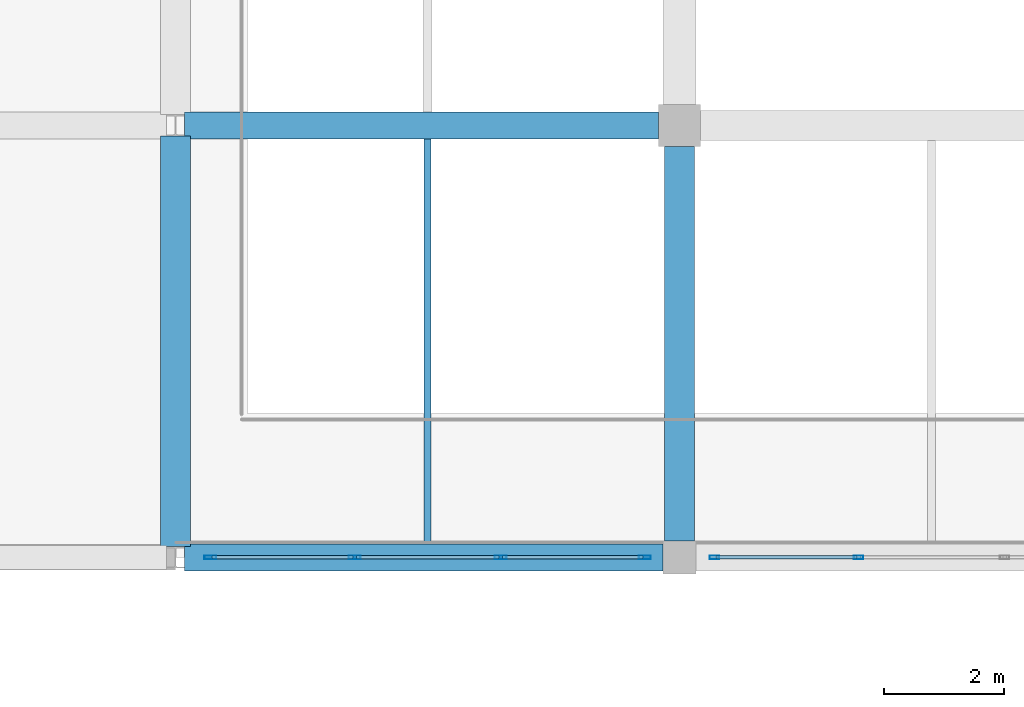
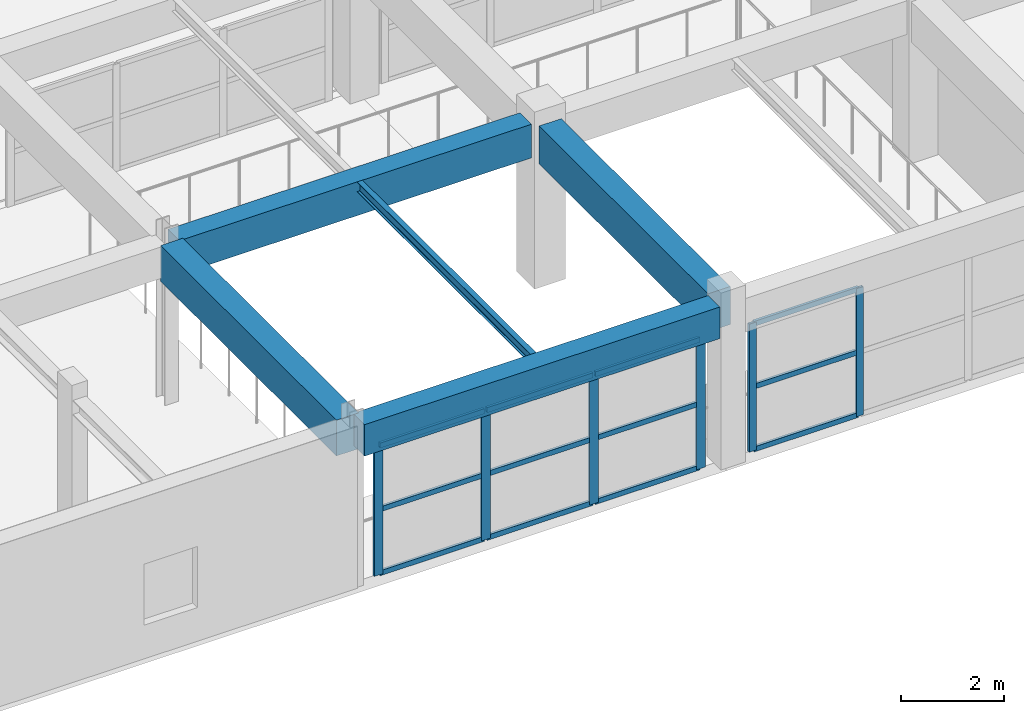
# One storey, part 11 of 71: 18 members, 5 beams, 2 elements without a shape of their own.
"""IFC4 building model written with IfcOpenShell, lengths in metres."""

from ifc_helpers import new_model, si_unit, direction, frame, origin, origin_2d, place, context, subcontext, project, spatial, rectangle, hollow_rectangle, i_section, extrude, material, material_profile, profile_set, type_object, element, aggregate, save


model = new_model("IFC4")

# Units and contexts
model_context = context("Model", 3, precision=1e-05, world=origin(), true_north=direction((0.0, 1.0)))
body_context = subcontext(model_context, "Body", "Model", "MODEL_VIEW")
ifc_project = project(units=[si_unit("LENGTHUNIT", "METRE"), si_unit("AREAUNIT", "SQUARE_METRE"), si_unit("VOLUMEUNIT", "CUBIC_METRE"), si_unit("PLANEANGLEUNIT", "RADIAN"), si_unit("MASSUNIT", "GRAM", prefix="KILO")], contexts=[model_context])

# Site, building, storey
site_placement = place(None, origin())
site = spatial("IfcSite", under=ifc_project, at=site_placement, CompositionType="ELEMENT")
building_placement = place(site_placement, origin())
building = spatial("IfcBuilding", under=site, at=building_placement, Name="Korsvaeld Concert Hall", CompositionType="ELEMENT")
storey_placement = place(building_placement, frame((0.0, 0.0, 4.800048828125)))
storey = spatial("IfcBuildingStorey", under=building, at=storey_placement, Name="L01", CompositionType="ELEMENT", Elevation=4.800048828125)

# Beams
ifc_material_1 = material(Name="Concrete C35/45", Category="concrete")
ifc_material_profile_1 = material_profile(ifc_material_1, rectangle(XDim=0.449951171875, YDim=0.75, at=origin_2d()), Name="RC 450x750")
ifc_profile_set_1 = profile_set([ifc_material_profile_1], Name="Concrete C35/45")
beam_type_1 = type_object("IfcBeamType", Name="BM-RC-450x750", PredefinedType="T_BEAM", material=ifc_profile_set_1)
beam_1_placement = place(storey_placement, frame((58.949951171875, 28.800048828125, 3.46484375), z_axis=(1.0, 0.0, 0.0), x_axis=(0.0, 1.0, 0.0)))
element("IfcBeam", 1, at=beam_1_placement, inside=storey, type_object=beam_type_1, Name="Primary girder 9-10/E L01", PredefinedType="T_BEAM", context=body_context, shape_type="SweptSolid", body=[
    extrude(rectangle(XDim=0.449951171875, YDim=0.75, at=origin_2d()), origin(), (0.0, 0.0, 1.0), 7.97509765625),
])
ifc_material_profile_2 = material_profile(ifc_material_1, rectangle(XDim=0.449951171875, YDim=0.800048828125, at=origin_2d()), Name="RC 450x800")
ifc_profile_set_2 = profile_set([ifc_material_profile_2], Name="Concrete C35/45")
beam_type_2 = type_object("IfcBeamType", Name="BM-RC-450x800", PredefinedType="T_BEAM", material=ifc_profile_set_2)
beam_2_placement = place(storey_placement, frame((58.949951171875, 36.0, 3.43994140625), z_axis=(1.0, 0.0, 0.0), x_axis=(0.0, 1.0, 0.0)))
element("IfcBeam", 2, at=beam_2_placement, inside=storey, type_object=beam_type_2, Name="Primary girder 9-10/F L01", PredefinedType="T_BEAM", context=body_context, shape_type="SweptSolid", body=[
    extrude(rectangle(XDim=0.449951171875, YDim=0.800048828125, at=origin_2d()), origin(), (0.0, 0.0, 1.0), 7.900146484375),
])
ifc_material_2 = material(Name="Concrete C40/50", Category="concrete")
ifc_material_profile_3 = material_profile(ifc_material_2, rectangle(XDim=0.5, YDim=0.85009765625, at=origin_2d()), Name="RC 500x850")
ifc_profile_set_3 = profile_set([ifc_material_profile_3], Name="Concrete C40/50")
beam_type_3 = type_object("IfcBeamType", Name="BM-RC-500x850", PredefinedType="T_BEAM", material=ifc_profile_set_3)
beam_3_placement = place(storey_placement, frame((58.800048828125, 28.97998046875, 3.4150390625), z_axis=(0.0, 1.0, 0.0), x_axis=(-1.0, 0.0, 0.0)))
element("IfcBeam", 3, at=beam_3_placement, inside=storey, type_object=beam_type_3, Name="Primary girder 9/E-F L01", PredefinedType="T_BEAM", context=body_context, shape_type="SweptSolid", body=[
    extrude(rectangle(XDim=0.5, YDim=0.85009765625, at=origin_2d()), origin(), (0.0, 0.0, 1.0), 6.840087890625),
])
ifc_material_profile_4 = material_profile(ifc_material_2, rectangle(XDim=0.5, YDim=0.89990234375, at=origin_2d()), Name="RC 500x900")
ifc_profile_set_4 = profile_set([ifc_material_profile_4], Name="Concrete C40/50")
beam_type_4 = type_object("IfcBeamType", Name="BM-RC-500x900", PredefinedType="T_BEAM", material=ifc_profile_set_4)
beam_4_placement = place(storey_placement, frame((67.199951171875, 29.074951171875, 3.389892578125), z_axis=(0.0, 1.0, 0.0), x_axis=(-1.0, 0.0, 0.0)))
element("IfcBeam", 4, at=beam_4_placement, inside=storey, type_object=beam_type_4, Name="Primary girder 10/E-F L01", PredefinedType="T_BEAM", context=body_context, shape_type="SweptSolid", body=[
    extrude(rectangle(XDim=0.5, YDim=0.89990234375, at=origin_2d()), origin(), (0.0, 0.0, 1.0), 6.574951171875),
])
ifc_material_3 = material(Name="Steel S355J2", Category="steel")
ifc_material_profile_5 = material_profile(ifc_material_3, i_section(OverallWidth=0.1201171875, OverallDepth=0.239990234375, WebThickness=0.006103515625, FlangeThickness=0.009765625, FilletRadius=0.014892578125, at=origin_2d()), Name="IPE 240")
ifc_profile_set_5 = profile_set([ifc_material_profile_5], Name="Steel S355J2")
beam_type_5 = type_object("IfcBeamType", Name="BM-STL-IPE240", PredefinedType="JOIST", material=ifc_profile_set_5)
beam_5_placement = place(storey_placement, frame((63.0, 29.02490234375, 3.719970703125), z_axis=(0.0, 1.0, 0.0), x_axis=(-1.0, 0.0, 0.0)))
element("IfcBeam", 5, at=beam_5_placement, inside=storey, type_object=beam_type_5, Name="Secondary steel floor beam 9-10/E L01", PredefinedType="JOIST", context=body_context, shape_type="SweptSolid", body=[
    extrude(i_section(OverallWidth=0.1201171875, OverallDepth=0.239990234375, WebThickness=0.006103515625, FlangeThickness=0.009765625, FilletRadius=0.014892578125, at=origin_2d()), origin(), (0.0, 0.0, 1.0), 6.75),
])

# Curtain wall, members
ifc_material_4 = material(Name="Anodised bronze and ceramic-fritted safety glass", Category="glass")
curtain_wall_type_1 = type_object("IfcCurtainWallType", Name="CW-TYPE-11", PredefinedType="USERDEFINED", material=ifc_material_4)
curtain_wall_1_placement = place(storey_placement, origin())
curtain_wall_1 = element("IfcCurtainWall", 6, at=curtain_wall_1_placement, inside=storey, type_object=curtain_wall_type_1, Name="Wintergarden foyer curtain wall L01-11", ObjectType="CURTAIN WALL", PredefinedType="USERDEFINED")
ifc_material_5 = material(Name="Anodised architectural bronze aluminium", Category="aluminium")
ifc_material_profile_6 = material_profile(ifc_material_5, hollow_rectangle(XDim=0.06005859375, YDim=0.159912109375, WallThickness=0.00390625, at=origin_2d()), Name="CWM 160x60x4")
ifc_profile_set_6 = profile_set([ifc_material_profile_6], Name="Anodised architectural bronze aluminium")
member_type_1 = type_object("IfcMemberType", Name="CWM-ALUM-160x60", PredefinedType="MULLION", material=ifc_profile_set_6)
member_1_placement = place(storey_placement, frame((70.183349609375, 28.800048828125, 0.0), z_axis=(0.0, 0.0, 1.0), x_axis=(0.0, -1.0, 0.0)))
member_1 = element("IfcMember", 7, at=member_1_placement, type_object=member_type_1, Name="CW-11 mullion 3", PredefinedType="MULLION", context=body_context, shape_type="SweptSolid", body=[
    extrude(hollow_rectangle(XDim=0.06005859375, YDim=0.159912109375, WallThickness=0.00390625, at=origin_2d()), origin(), (0.0, 0.0, 1.0), 3.0400390625),
])
member_2_placement = place(storey_placement, frame((67.780029296875, 28.800048828125, 0.0), z_axis=(0.0, 0.0, 1.0), x_axis=(0.0, -1.0, 0.0)))
member_2 = element("IfcMember", 8, at=member_2_placement, type_object=member_type_1, Name="CW-11 mullion 4", PredefinedType="MULLION", context=body_context, shape_type="SweptSolid", body=[
    extrude(hollow_rectangle(XDim=0.06005859375, YDim=0.159912109375, WallThickness=0.00390625, at=origin_2d()), origin(), (0.0, 0.0, 1.0), 3.0400390625),
])

curtain_wall_type_2 = type_object("IfcCurtainWallType", Name="CW-TYPE-12", PredefinedType="USERDEFINED", material=ifc_material_4)
curtain_wall_2_placement = place(storey_placement, origin())
curtain_wall_2 = element("IfcCurtainWall", 9, at=curtain_wall_2_placement, inside=storey, type_object=curtain_wall_type_2, Name="Wintergarden foyer curtain wall L01-12", ObjectType="CURTAIN WALL", PredefinedType="USERDEFINED")
ifc_material_profile_7 = material_profile(ifc_material_5, hollow_rectangle(XDim=0.06005859375, YDim=0.199951171875, WallThickness=0.0048828125, at=origin_2d()), Name="CWM 200x60x5")
ifc_profile_set_7 = profile_set([ifc_material_profile_7], Name="Anodised architectural bronze aluminium")
member_type_2 = type_object("IfcMemberType", Name="CWM-ALUM-200x60", PredefinedType="MULLION", material=ifc_profile_set_7)
member_3_placement = place(storey_placement, frame((66.6201171875, 28.800048828125, 0.0), z_axis=(0.0, 0.0, 1.0), x_axis=(0.0, -1.0, 0.0)))
member_3 = element("IfcMember", 10, at=member_3_placement, type_object=member_type_2, Name="CW-12 mullion 1", PredefinedType="MULLION", context=body_context, shape_type="SweptSolid", body=[
    extrude(hollow_rectangle(XDim=0.06005859375, YDim=0.199951171875, WallThickness=0.0048828125, at=origin_2d()), origin(), (0.0, 0.0, 1.0), 3.08984375),
])
member_4_placement = place(storey_placement, frame((64.216552734375, 28.800048828125, 0.0), z_axis=(0.0, 0.0, 1.0), x_axis=(0.0, -1.0, 0.0)))
member_4 = element("IfcMember", 11, at=member_4_placement, type_object=member_type_2, Name="CW-12 mullion 2", PredefinedType="MULLION", context=body_context, shape_type="SweptSolid", body=[
    extrude(hollow_rectangle(XDim=0.06005859375, YDim=0.199951171875, WallThickness=0.0048828125, at=origin_2d()), origin(), (0.0, 0.0, 1.0), 3.08984375),
])
member_5_placement = place(storey_placement, frame((61.783447265625, 28.800048828125, 0.0), z_axis=(0.0, 0.0, 1.0), x_axis=(0.0, -1.0, 0.0)))
member_5 = element("IfcMember", 12, at=member_5_placement, type_object=member_type_2, Name="CW-12 mullion 3", PredefinedType="MULLION", context=body_context, shape_type="SweptSolid", body=[
    extrude(hollow_rectangle(XDim=0.06005859375, YDim=0.199951171875, WallThickness=0.0048828125, at=origin_2d()), origin(), (0.0, 0.0, 1.0), 3.08984375),
])
member_6_placement = place(storey_placement, frame((59.3798828125, 28.800048828125, 0.0), z_axis=(0.0, 0.0, 1.0), x_axis=(0.0, -1.0, 0.0)))
member_6 = element("IfcMember", 13, at=member_6_placement, type_object=member_type_2, Name="CW-12 mullion 4", PredefinedType="MULLION", context=body_context, shape_type="SweptSolid", body=[
    extrude(hollow_rectangle(XDim=0.06005859375, YDim=0.199951171875, WallThickness=0.0048828125, at=origin_2d()), origin(), (0.0, 0.0, 1.0), 3.08984375),
])

# Member
ifc_material_profile_8 = material_profile(ifc_material_5, hollow_rectangle(XDim=0.06005859375, YDim=0.1201171875, WallThickness=0.00390625, at=origin_2d()), Name="CWT 120x60x4")
ifc_profile_set_8 = profile_set([ifc_material_profile_8], Name="Anodised architectural bronze aluminium")
member_type_3 = type_object("IfcMemberType", Name="CWT-ALUM-120x60", PredefinedType="USERDEFINED", material=ifc_profile_set_8)
member_7_placement = place(storey_placement, frame((70.1533203125, 28.800048828125, 0.030029296875), z_axis=(-1.0, 0.0, 0.0), x_axis=(0.0, -1.0, 0.0)))
member_7 = element("IfcMember", 14, at=member_7_placement, type_object=member_type_3, Name="CW-11 transom 3.1", ObjectType="TRANSOM", PredefinedType="USERDEFINED", context=body_context, shape_type="SweptSolid", body=[
    extrude(hollow_rectangle(XDim=0.06005859375, YDim=0.1201171875, WallThickness=0.00390625, at=origin_2d()), origin(), (0.0, 0.0, 1.0), 2.34326171875),
])

member_8_placement = place(storey_placement, frame((70.1533203125, 28.800048828125, 1.52001953125), z_axis=(-1.0, 0.0, 0.0), x_axis=(0.0, -1.0, 0.0)))
member_8 = element("IfcMember", 15, at=member_8_placement, type_object=member_type_3, Name="CW-11 transom 3.2", ObjectType="TRANSOM", PredefinedType="USERDEFINED", context=body_context, shape_type="SweptSolid", body=[
    extrude(hollow_rectangle(XDim=0.06005859375, YDim=0.1201171875, WallThickness=0.00390625, at=origin_2d()), origin(), (0.0, 0.0, 1.0), 2.34326171875),
])

member_9_placement = place(storey_placement, frame((70.1533203125, 28.800048828125, 3.010009765625), z_axis=(-1.0, 0.0, 0.0), x_axis=(0.0, -1.0, 0.0)))
member_9 = element("IfcMember", 16, at=member_9_placement, type_object=member_type_3, Name="CW-11 transom 3.3", ObjectType="TRANSOM", PredefinedType="USERDEFINED", context=body_context, shape_type="SweptSolid", body=[
    extrude(hollow_rectangle(XDim=0.06005859375, YDim=0.1201171875, WallThickness=0.00390625, at=origin_2d()), origin(), (0.0, 0.0, 1.0), 2.34326171875),
])

aggregate(curtain_wall_1, [member_1, member_2, member_7, member_8, member_9])

member_10_placement = place(storey_placement, frame((66.590087890625, 28.800048828125, 0.030029296875), z_axis=(-1.0, 0.0, 0.0), x_axis=(0.0, -1.0, 0.0)))
member_10 = element("IfcMember", 17, at=member_10_placement, type_object=member_type_3, Name="CW-12 transom 1.1", ObjectType="TRANSOM", PredefinedType="USERDEFINED", context=body_context, shape_type="SweptSolid", body=[
    extrude(hollow_rectangle(XDim=0.06005859375, YDim=0.1201171875, WallThickness=0.00390625, at=origin_2d()), origin(), (0.0, 0.0, 1.0), 2.343505859375),
])

member_11_placement = place(storey_placement, frame((66.590087890625, 28.800048828125, 1.544921875), z_axis=(-1.0, 0.0, 0.0), x_axis=(0.0, -1.0, 0.0)))
member_11 = element("IfcMember", 18, at=member_11_placement, type_object=member_type_3, Name="CW-12 transom 1.2", ObjectType="TRANSOM", PredefinedType="USERDEFINED", context=body_context, shape_type="SweptSolid", body=[
    extrude(hollow_rectangle(XDim=0.06005859375, YDim=0.1201171875, WallThickness=0.00390625, at=origin_2d()), origin(), (0.0, 0.0, 1.0), 2.343505859375),
])

member_12_placement = place(storey_placement, frame((66.590087890625, 28.800048828125, 3.06005859375), z_axis=(-1.0, 0.0, 0.0), x_axis=(0.0, -1.0, 0.0)))
member_12 = element("IfcMember", 19, at=member_12_placement, type_object=member_type_3, Name="CW-12 transom 1.3", ObjectType="TRANSOM", PredefinedType="USERDEFINED", context=body_context, shape_type="SweptSolid", body=[
    extrude(hollow_rectangle(XDim=0.06005859375, YDim=0.1201171875, WallThickness=0.00390625, at=origin_2d()), origin(), (0.0, 0.0, 1.0), 2.343505859375),
])

member_13_placement = place(storey_placement, frame((64.186767578125, 28.800048828125, 0.030029296875), z_axis=(-1.0, 0.0, 0.0), x_axis=(0.0, -1.0, 0.0)))
member_13 = element("IfcMember", 20, at=member_13_placement, type_object=member_type_3, Name="CW-12 transom 2.1", ObjectType="TRANSOM", PredefinedType="USERDEFINED", context=body_context, shape_type="SweptSolid", body=[
    extrude(hollow_rectangle(XDim=0.06005859375, YDim=0.1201171875, WallThickness=0.00390625, at=origin_2d()), origin(), (0.0, 0.0, 1.0), 2.37353515625),
])

member_14_placement = place(storey_placement, frame((64.186767578125, 28.800048828125, 1.544921875), z_axis=(-1.0, 0.0, 0.0), x_axis=(0.0, -1.0, 0.0)))
member_14 = element("IfcMember", 21, at=member_14_placement, type_object=member_type_3, Name="CW-12 transom 2.2", ObjectType="TRANSOM", PredefinedType="USERDEFINED", context=body_context, shape_type="SweptSolid", body=[
    extrude(hollow_rectangle(XDim=0.06005859375, YDim=0.1201171875, WallThickness=0.00390625, at=origin_2d()), origin(), (0.0, 0.0, 1.0), 2.37353515625),
])

member_15_placement = place(storey_placement, frame((64.186767578125, 28.800048828125, 3.06005859375), z_axis=(-1.0, 0.0, 0.0), x_axis=(0.0, -1.0, 0.0)))
member_15 = element("IfcMember", 22, at=member_15_placement, type_object=member_type_3, Name="CW-12 transom 2.3", ObjectType="TRANSOM", PredefinedType="USERDEFINED", context=body_context, shape_type="SweptSolid", body=[
    extrude(hollow_rectangle(XDim=0.06005859375, YDim=0.1201171875, WallThickness=0.00390625, at=origin_2d()), origin(), (0.0, 0.0, 1.0), 2.37353515625),
])

member_16_placement = place(storey_placement, frame((61.75341796875, 28.800048828125, 0.030029296875), z_axis=(-1.0, 0.0, 0.0), x_axis=(0.0, -1.0, 0.0)))
member_16 = element("IfcMember", 23, at=member_16_placement, type_object=member_type_3, Name="CW-12 transom 3.1", ObjectType="TRANSOM", PredefinedType="USERDEFINED", context=body_context, shape_type="SweptSolid", body=[
    extrude(hollow_rectangle(XDim=0.06005859375, YDim=0.1201171875, WallThickness=0.00390625, at=origin_2d()), origin(), (0.0, 0.0, 1.0), 2.343505859375),
])

member_17_placement = place(storey_placement, frame((61.75341796875, 28.800048828125, 1.544921875), z_axis=(-1.0, 0.0, 0.0), x_axis=(0.0, -1.0, 0.0)))
member_17 = element("IfcMember", 24, at=member_17_placement, type_object=member_type_3, Name="CW-12 transom 3.2", ObjectType="TRANSOM", PredefinedType="USERDEFINED", context=body_context, shape_type="SweptSolid", body=[
    extrude(hollow_rectangle(XDim=0.06005859375, YDim=0.1201171875, WallThickness=0.00390625, at=origin_2d()), origin(), (0.0, 0.0, 1.0), 2.343505859375),
])

member_18_placement = place(storey_placement, frame((61.75341796875, 28.800048828125, 3.06005859375), z_axis=(-1.0, 0.0, 0.0), x_axis=(0.0, -1.0, 0.0)))
member_18 = element("IfcMember", 25, at=member_18_placement, type_object=member_type_3, Name="CW-12 transom 3.3", ObjectType="TRANSOM", PredefinedType="USERDEFINED", context=body_context, shape_type="SweptSolid", body=[
    extrude(hollow_rectangle(XDim=0.06005859375, YDim=0.1201171875, WallThickness=0.00390625, at=origin_2d()), origin(), (0.0, 0.0, 1.0), 2.343505859375),
])

aggregate(curtain_wall_2, [member_3, member_4, member_5, member_6, member_10, member_11, member_12, member_13, member_14, member_15, member_16, member_17, member_18])

save(model, "model.ifc")
